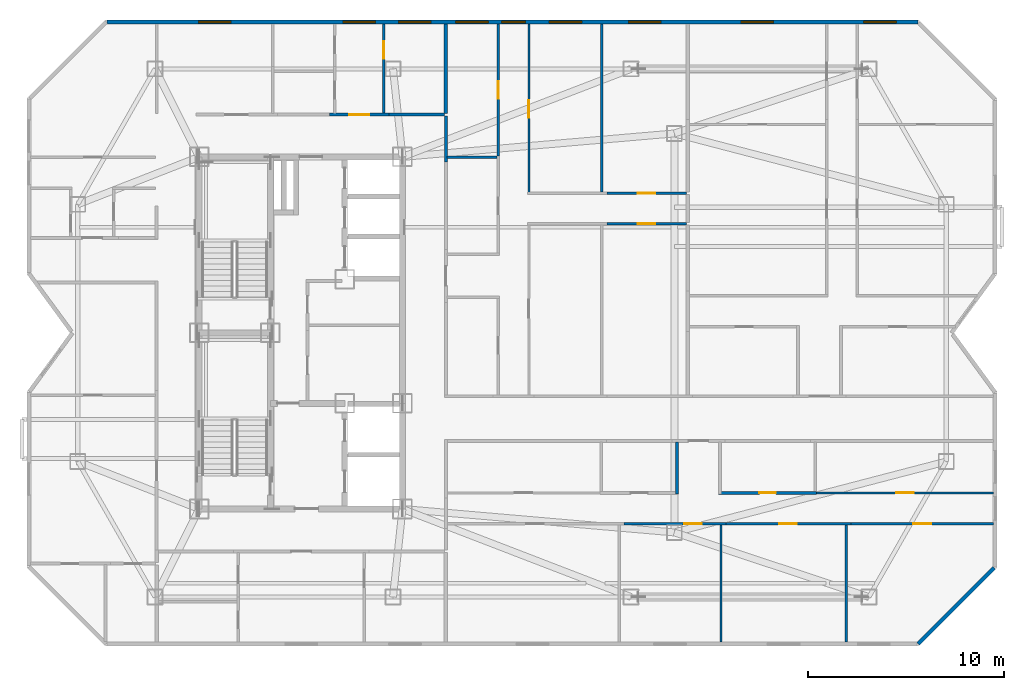
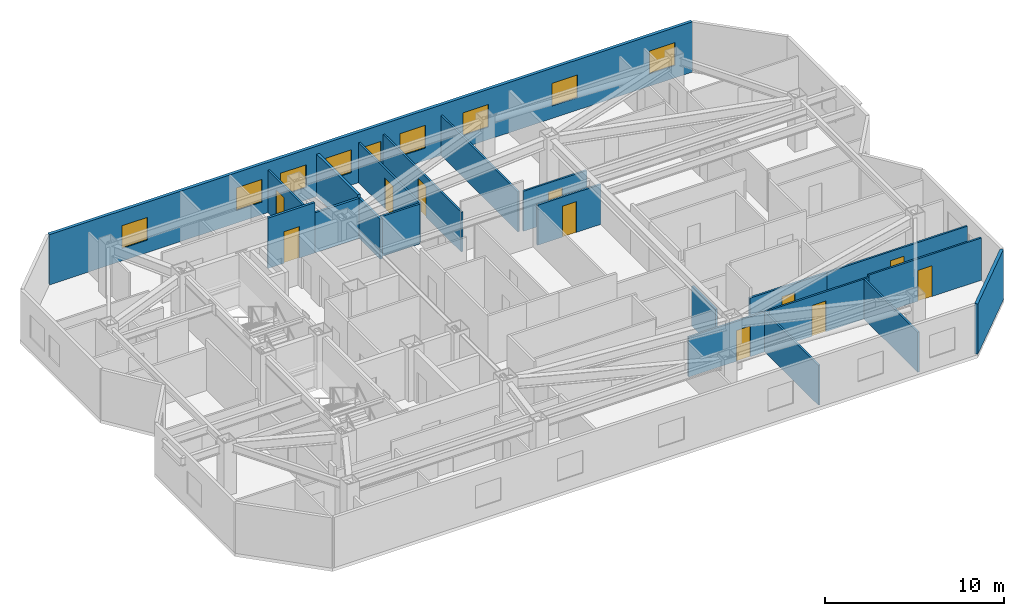
# One storey, part 7 of 10: 21 walls, 11 doors, 9 windows, 20 openings.
"""IFC4 building model written with IfcOpenShell, lengths in metres."""

from ifc_helpers import new_model, si_unit, direction, frame, frame_2d, origin, place, context, subcontext, project, spatial, rectangle, extrude, material, layer, layer_set, type_object, element, fill, save


model = new_model("IFC4")

# Units and contexts
model_context = context("Model", 3, precision=1e-05, world=origin(), true_north=direction((0.0, 1.0)))
body_context = subcontext(model_context, "Body", "Model", "MODEL_VIEW")
ifc_project = project(units=[si_unit("LENGTHUNIT", "METRE"), si_unit("AREAUNIT", "SQUARE_METRE"), si_unit("VOLUMEUNIT", "CUBIC_METRE"), si_unit("PLANEANGLEUNIT", "RADIAN"), si_unit("MASSUNIT", "GRAM", prefix="KILO")], contexts=[model_context])

# Site, building, storey
site_placement = place(None, origin())
site = spatial("IfcSite", under=ifc_project, at=site_placement, CompositionType="ELEMENT")
building_placement = place(site_placement, origin())
building = spatial("IfcBuilding", under=site, at=building_placement, Name="Khamvora Tower", CompositionType="ELEMENT")
storey_placement = place(building_placement, frame((0.0, 0.0, 246.39990234375)))
storey = spatial("IfcBuildingStorey", under=building, at=storey_placement, Name="L63", CompositionType="ELEMENT", Elevation=246.39990234375)

# Wall, opening, door
ifc_material_1 = material(Name="Fire-Rated Drywall and Steel Stud", Category="steel")
ifc_layer_1 = layer(ifc_material_1, 0.14990234375)
ifc_layer_set_1 = layer_set([ifc_layer_1], Name="Fire-Rated Drywall and Steel Stud")
wall_type_1 = type_object("IfcWallType", Name="WAL-CORR-150", PredefinedType="STANDARD", material=ifc_layer_set_1)
wall_1_placement = place(storey_placement, frame((35.680908203125, 39.1650390625, 0.0), z_axis=(0.0, 0.0, 1.0), x_axis=(1.0, 0.0, 0.0)))
wall_1 = element("IfcWall", 1, at=wall_1_placement, inside=storey, type_object=wall_type_1, Name="L63 interior partition wall 015", PredefinedType="STANDARD", context=body_context, shape_type="SweptSolid", body=[
    extrude(rectangle(XDim=3.01806640625, YDim=0.14990234375, at=frame_2d((1.509033203125, 0.0))), origin(), (0.0, 0.0, 1.0), 3.43017578125),
])
opening_1_placement = place(wall_1_placement, frame((1.009033203125, 0.0, 0.0)))
opening_1 = element("IfcOpeningElement", 2, at=opening_1_placement, cuts=wall_1, Name="Opening D-U1", PredefinedType="OPENING", context=body_context, shape_type="SweptSolid", body=[
    extrude(rectangle(XDim=1.0, YDim=2.14990234375, at=frame_2d((0.5, 1.074951171875))), frame((0.0, 0.0849609375, 0.0), z_axis=(0.0, -1.0, 0.0), x_axis=(1.0, 0.0, 0.0)), (0.0, 0.0, 1.0), 0.169921875),
])
ifc_material_2 = material(Name="Powder-Coated Steel and Hardwood Leaf", Category="steel")
door_type_1 = type_object("IfcDoorType", Name="DOR-UNIT-1000", OperationType="NOTDEFINED", PredefinedType="DOOR", material=ifc_material_2)
door_1_placement = place(opening_1_placement, origin())
door_1 = element("IfcDoor", 3, at=door_1_placement, inside=storey, type_object=door_type_1, Name="L63 interior door COR-63NAH", OperationType="SINGLE_SWING_RIGHT", OverallHeight=2.14990234375, OverallWidth=1.0, PredefinedType="DOOR", context=body_context, shape_type="SweptSolid", body=[
    extrude(rectangle(XDim=1.0, YDim=2.14990234375, at=frame_2d((0.5, 1.074951171875))), frame((0.0, 0.02490234375, 0.0), z_axis=(0.0, -1.0, 0.0), x_axis=(1.0, 0.0, 0.0)), (0.0, 0.0, 1.0), 0.050048828125),
])
fill(opening_1, door_1)

# Walls
wall_2_placement = place(storey_placement, frame((38.698974609375, 39.1650390625, 0.0), z_axis=(0.0, 0.0, 1.0), x_axis=(1.0, 0.0, 0.0)))
element("IfcWall", 4, at=wall_2_placement, inside=storey, type_object=wall_type_1, Name="L63 interior partition wall 017", PredefinedType="STANDARD", context=body_context, shape_type="SweptSolid", body=[
    extrude(rectangle(XDim=2.85107421875, YDim=0.14990234375, at=frame_2d((1.425537109375, 0.0))), origin(), (0.0, 0.0, 1.0), 2.72509765625),
])
wall_3_placement = place(storey_placement, frame((41.614990234375, 39.10009765625, 0.0), z_axis=(0.0, 0.0, 1.0), x_axis=(0.0, -1.0, 0.0)))
element("IfcWall", 5, at=wall_3_placement, inside=storey, type_object=wall_type_1, Name="L63 interior partition wall 026", PredefinedType="STANDARD", context=body_context, shape_type="SweptSolid", body=[
    extrude(rectangle(XDim=2.3681640625, YDim=0.14990234375, at=frame_2d((1.18408203125, 0.0))), origin(), (0.0, 0.0, 1.0), 2.72509765625),
])
ifc_material_3 = material(Name="Acoustic Double-Stud Fire Wall", Category="gypsum")
ifc_layer_2 = layer(ifc_material_3, 0.179931640625)
ifc_layer_set_2 = layer_set([ifc_layer_2], Name="Acoustic Double-Stud Fire Wall")
wall_type_2 = type_object("IfcWallType", Name="WAL-CORR-180", PredefinedType="STANDARD", material=ifc_layer_set_2)
wall_4_placement = place(storey_placement, frame((41.614990234375, 43.80810546875, 0.0), z_axis=(0.0, 0.0, 1.0), x_axis=(0.0, -1.0, 0.0)))
element("IfcWall", 6, at=wall_4_placement, inside=storey, type_object=wall_type_2, Name="L63 interior partition wall 061", PredefinedType="STANDARD", context=body_context, shape_type="SweptSolid", body=[
    extrude(rectangle(XDim=4.578125, YDim=0.179931640625, at=frame_2d((2.2890625, 0.0))), origin(), (0.0, 0.0, 1.0), 2.88720703125),
])

# Wall, openings, windows
ifc_material_4 = material(Name="Precast concrete C40/50", Category="concrete")
ifc_layer_3 = layer(ifc_material_4, 0.199951171875)
ifc_layer_set_3 = layer_set([ifc_layer_3], Name="Precast concrete C40/50")
wall_type_3 = type_object("IfcWallType", Name="WAL-EXT-200", PredefinedType="STANDARD", material=ifc_layer_set_3)
wall_5_placement = place(storey_placement, frame((24.302001953125, 43.89990234375, 0.0), z_axis=(0.0, 0.0, 1.0), x_axis=(1.0, 0.0, 0.0)))
wall_5 = element("IfcWall", 7, at=wall_5_placement, inside=storey, type_object=wall_type_3, Name="L63 exterior facade wall 07.1", PredefinedType="STANDARD", context=body_context, shape_type="SweptSolid", body=[
    extrude(rectangle(XDim=41.45703125, YDim=0.199951171875, at=frame_2d((20.728515625, 0.0))), origin(), (0.0, 0.0, 1.0), 3.43017578125),
])
opening_2_placement = place(wall_5_placement, frame((4.673095703125, 0.0, 0.85009765625)))
opening_2 = element("IfcOpeningElement", 8, at=opening_2_placement, cuts=wall_5, Name="Opening WN-06", PredefinedType="OPENING", context=body_context, shape_type="SweptSolid", body=[
    extrude(rectangle(XDim=1.64990234375, YDim=1.550048828125, at=frame_2d((0.824951171875, 0.77490234375))), frame((0.0, 0.10986328125, 0.0), z_axis=(0.0, -1.0, 0.0), x_axis=(1.0, 0.0, 0.0)), (0.0, 0.0, 1.0), 0.219970703125),
])
opening_3_placement = place(wall_5_placement, frame((12.06298828125, 0.0, 0.85009765625)))
opening_3 = element("IfcOpeningElement", 9, at=opening_3_placement, cuts=wall_5, Name="Opening WN-06", PredefinedType="OPENING", context=body_context, shape_type="SweptSolid", body=[
    extrude(rectangle(XDim=1.64990234375, YDim=1.550048828125, at=frame_2d((0.824951171875, 0.77490234375))), frame((0.0, 0.10986328125, 0.0), z_axis=(0.0, -1.0, 0.0), x_axis=(1.0, 0.0, 0.0)), (0.0, 0.0, 1.0), 0.219970703125),
])
opening_4_placement = place(wall_5_placement, frame((14.905029296875, 0.0, 0.85009765625)))
opening_4 = element("IfcOpeningElement", 10, at=opening_4_placement, cuts=wall_5, Name="Opening WN-06", PredefinedType="OPENING", context=body_context, shape_type="SweptSolid", body=[
    extrude(rectangle(XDim=1.64990234375, YDim=1.550048828125, at=frame_2d((0.824951171875, 0.77490234375))), frame((0.0, 0.10986328125, 0.0), z_axis=(0.0, -1.0, 0.0), x_axis=(1.0, 0.0, 0.0)), (0.0, 0.0, 1.0), 0.219970703125),
])
opening_5_placement = place(wall_5_placement, frame((17.824951171875, 0.0, 0.85009765625)))
opening_5 = element("IfcOpeningElement", 11, at=opening_5_placement, cuts=wall_5, Name="Opening WN-06", PredefinedType="OPENING", context=body_context, shape_type="SweptSolid", body=[
    extrude(rectangle(XDim=1.64990234375, YDim=1.550048828125, at=frame_2d((0.824951171875, 0.77490234375))), frame((0.0, 0.10986328125, 0.0), z_axis=(0.0, -1.0, 0.0), x_axis=(1.0, 0.0, 0.0)), (0.0, 0.0, 1.0), 0.219970703125),
])
opening_6_placement = place(wall_5_placement, frame((20.176025390625, 0.0, 0.800048828125)))
opening_6 = element("IfcOpeningElement", 12, at=opening_6_placement, cuts=wall_5, Name="Opening WN-03", PredefinedType="OPENING", context=body_context, shape_type="SweptSolid", body=[
    extrude(rectangle(XDim=1.199951171875, YDim=1.5, at=frame_2d((0.60009765625, 0.75))), frame((0.0, 0.10986328125, 0.0), z_axis=(0.0, -1.0, 0.0), x_axis=(1.0, 0.0, 0.0)), (0.0, 0.0, 1.0), 0.219970703125),
])
opening_7_placement = place(wall_5_placement, frame((22.60498046875, 0.0, 0.85009765625)))
opening_7 = element("IfcOpeningElement", 13, at=opening_7_placement, cuts=wall_5, Name="Opening WN-06", PredefinedType="OPENING", context=body_context, shape_type="SweptSolid", body=[
    extrude(rectangle(XDim=1.64990234375, YDim=1.550048828125, at=frame_2d((0.824951171875, 0.77490234375))), frame((0.0, 0.10986328125, 0.0), z_axis=(0.0, -1.0, 0.0), x_axis=(1.0, 0.0, 0.0)), (0.0, 0.0, 1.0), 0.219970703125),
])
opening_8_placement = place(wall_5_placement, frame((26.6640625, 0.0, 0.85009765625)))
opening_8 = element("IfcOpeningElement", 14, at=opening_8_placement, cuts=wall_5, Name="Opening WN-06", PredefinedType="OPENING", context=body_context, shape_type="SweptSolid", body=[
    extrude(rectangle(XDim=1.64990234375, YDim=1.550048828125, at=frame_2d((0.824951171875, 0.77490234375))), frame((0.0, 0.10986328125, 0.0), z_axis=(0.0, -1.0, 0.0), x_axis=(1.0, 0.0, 0.0)), (0.0, 0.0, 1.0), 0.219970703125),
])
opening_9_placement = place(wall_5_placement, frame((32.407958984375, 0.0, 0.85009765625)))
opening_9 = element("IfcOpeningElement", 15, at=opening_9_placement, cuts=wall_5, Name="Opening WN-06", PredefinedType="OPENING", context=body_context, shape_type="SweptSolid", body=[
    extrude(rectangle(XDim=1.64990234375, YDim=1.550048828125, at=frame_2d((0.824951171875, 0.77490234375))), frame((0.0, 0.10986328125, 0.0), z_axis=(0.0, -1.0, 0.0), x_axis=(1.0, 0.0, 0.0)), (0.0, 0.0, 1.0), 0.219970703125),
])
opening_10_placement = place(wall_5_placement, frame((38.68798828125, 0.0, 0.85009765625)))
opening_10 = element("IfcOpeningElement", 16, at=opening_10_placement, cuts=wall_5, Name="Opening WN-06", PredefinedType="OPENING", context=body_context, shape_type="SweptSolid", body=[
    extrude(rectangle(XDim=1.64990234375, YDim=1.550048828125, at=frame_2d((0.824951171875, 0.77490234375))), frame((0.0, 0.10986328125, 0.0), z_axis=(0.0, -1.0, 0.0), x_axis=(1.0, 0.0, 0.0)), (0.0, 0.0, 1.0), 0.219970703125),
])
ifc_material_5 = material(Name="Low-E Laminated Double Glazing", Category="glass")
window_type_1 = type_object("IfcWindowType", Name="WIN-VIS-1200x1500", PartitioningType="SINGLE_PANEL", PredefinedType="WINDOW", material=ifc_material_5)
window_1_placement = place(opening_6_placement, origin())
window_1 = element("IfcWindow", 17, at=window_1_placement, inside=storey, type_object=window_type_1, Name="L63 vision window 07.1.05", OverallHeight=1.5, OverallWidth=1.199951171875, PartitioningType="SINGLE_PANEL", PredefinedType="WINDOW", context=body_context, shape_type="SweptSolid", body=[
    extrude(rectangle(XDim=1.199951171875, YDim=1.5, at=frame_2d((0.60009765625, 0.75))), frame((0.0, 0.030029296875, 0.0), z_axis=(0.0, -1.0, 0.0), x_axis=(1.0, 0.0, 0.0)), (0.0, 0.0, 1.0), 0.06005859375),
])
fill(opening_6, window_1)
window_type_2 = type_object("IfcWindowType", Name="WIN-VIS-1650x1550", PartitioningType="SINGLE_PANEL", PredefinedType="WINDOW", material=ifc_material_5)
window_2_placement = place(opening_2_placement, origin())
window_2 = element("IfcWindow", 18, at=window_2_placement, inside=storey, type_object=window_type_2, Name="L63 vision window 07.1.01", OverallHeight=1.550048828125, OverallWidth=1.64990234375, PartitioningType="SINGLE_PANEL", PredefinedType="WINDOW", context=body_context, shape_type="SweptSolid", body=[
    extrude(rectangle(XDim=1.64990234375, YDim=1.550048828125, at=frame_2d((0.824951171875, 0.77490234375))), frame((0.0, 0.030029296875, 0.0), z_axis=(0.0, -1.0, 0.0), x_axis=(1.0, 0.0, 0.0)), (0.0, 0.0, 1.0), 0.06005859375),
])
fill(opening_2, window_2)
window_3_placement = place(opening_3_placement, origin())
window_3 = element("IfcWindow", 19, at=window_3_placement, inside=storey, type_object=window_type_2, Name="L63 vision window 07.1.02", OverallHeight=1.550048828125, OverallWidth=1.64990234375, PartitioningType="SINGLE_PANEL", PredefinedType="WINDOW", context=body_context, shape_type="SweptSolid", body=[
    extrude(rectangle(XDim=1.64990234375, YDim=1.550048828125, at=frame_2d((0.824951171875, 0.77490234375))), frame((0.0, 0.030029296875, 0.0), z_axis=(0.0, -1.0, 0.0), x_axis=(1.0, 0.0, 0.0)), (0.0, 0.0, 1.0), 0.06005859375),
])
fill(opening_3, window_3)
window_4_placement = place(opening_4_placement, origin())
window_4 = element("IfcWindow", 20, at=window_4_placement, inside=storey, type_object=window_type_2, Name="L63 vision window 07.1.03", OverallHeight=1.550048828125, OverallWidth=1.64990234375, PartitioningType="SINGLE_PANEL", PredefinedType="WINDOW", context=body_context, shape_type="SweptSolid", body=[
    extrude(rectangle(XDim=1.64990234375, YDim=1.550048828125, at=frame_2d((0.824951171875, 0.77490234375))), frame((0.0, 0.030029296875, 0.0), z_axis=(0.0, -1.0, 0.0), x_axis=(1.0, 0.0, 0.0)), (0.0, 0.0, 1.0), 0.06005859375),
])
fill(opening_4, window_4)
window_5_placement = place(opening_5_placement, origin())
window_5 = element("IfcWindow", 21, at=window_5_placement, inside=storey, type_object=window_type_2, Name="L63 vision window 07.1.04", OverallHeight=1.550048828125, OverallWidth=1.64990234375, PartitioningType="SINGLE_PANEL", PredefinedType="WINDOW", context=body_context, shape_type="SweptSolid", body=[
    extrude(rectangle(XDim=1.64990234375, YDim=1.550048828125, at=frame_2d((0.824951171875, 0.77490234375))), frame((0.0, 0.030029296875, 0.0), z_axis=(0.0, -1.0, 0.0), x_axis=(1.0, 0.0, 0.0)), (0.0, 0.0, 1.0), 0.06005859375),
])
fill(opening_5, window_5)
window_6_placement = place(opening_7_placement, origin())
window_6 = element("IfcWindow", 22, at=window_6_placement, inside=storey, type_object=window_type_2, Name="L63 vision window 07.1.06", OverallHeight=1.550048828125, OverallWidth=1.64990234375, PartitioningType="SINGLE_PANEL", PredefinedType="WINDOW", context=body_context, shape_type="SweptSolid", body=[
    extrude(rectangle(XDim=1.64990234375, YDim=1.550048828125, at=frame_2d((0.824951171875, 0.77490234375))), frame((0.0, 0.030029296875, 0.0), z_axis=(0.0, -1.0, 0.0), x_axis=(1.0, 0.0, 0.0)), (0.0, 0.0, 1.0), 0.06005859375),
])
fill(opening_7, window_6)
window_7_placement = place(opening_8_placement, origin())
window_7 = element("IfcWindow", 23, at=window_7_placement, inside=storey, type_object=window_type_2, Name="L63 vision window 07.1.07", OverallHeight=1.550048828125, OverallWidth=1.64990234375, PartitioningType="SINGLE_PANEL", PredefinedType="WINDOW", context=body_context, shape_type="SweptSolid", body=[
    extrude(rectangle(XDim=1.64990234375, YDim=1.550048828125, at=frame_2d((0.824951171875, 0.77490234375))), frame((0.0, 0.030029296875, 0.0), z_axis=(0.0, -1.0, 0.0), x_axis=(1.0, 0.0, 0.0)), (0.0, 0.0, 1.0), 0.06005859375),
])
fill(opening_8, window_7)
window_8_placement = place(opening_9_placement, origin())
window_8 = element("IfcWindow", 24, at=window_8_placement, inside=storey, type_object=window_type_2, Name="L63 vision window 07.1.08", OverallHeight=1.550048828125, OverallWidth=1.64990234375, PartitioningType="SINGLE_PANEL", PredefinedType="WINDOW", context=body_context, shape_type="SweptSolid", body=[
    extrude(rectangle(XDim=1.64990234375, YDim=1.550048828125, at=frame_2d((0.824951171875, 0.77490234375))), frame((0.0, 0.030029296875, 0.0), z_axis=(0.0, -1.0, 0.0), x_axis=(1.0, 0.0, 0.0)), (0.0, 0.0, 1.0), 0.06005859375),
])
fill(opening_9, window_8)
window_9_placement = place(opening_10_placement, origin())
window_9 = element("IfcWindow", 25, at=window_9_placement, inside=storey, type_object=window_type_2, Name="L63 vision window 07.1.09", OverallHeight=1.550048828125, OverallWidth=1.64990234375, PartitioningType="SINGLE_PANEL", PredefinedType="WINDOW", context=body_context, shape_type="SweptSolid", body=[
    extrude(rectangle(XDim=1.64990234375, YDim=1.550048828125, at=frame_2d((0.824951171875, 0.77490234375))), frame((0.0, 0.030029296875, 0.0), z_axis=(0.0, -1.0, 0.0), x_axis=(1.0, 0.0, 0.0)), (0.0, 0.0, 1.0), 0.06005859375),
])
fill(opening_10, window_9)

# Wall
wall_6_placement = place(storey_placement, frame((69.655029296875, 15.99609375, 0.0), z_axis=(0.0, 0.0, 1.0), x_axis=(-0.707106781187, -0.707106781187, 0.0)))
element("IfcWall", 26, at=wall_6_placement, inside=storey, type_object=wall_type_3, Name="L63 exterior facade wall 13.1", PredefinedType="STANDARD", context=body_context, shape_type="SweptSolid", body=[
    extrude(rectangle(XDim=5.509765625, YDim=0.199951171875, at=frame_2d((2.7548828125, 0.0))), origin(), (0.0, 0.0, 1.0), 3.43017578125),
])

# Wall, opening, door
ifc_material_6 = material(Name="Gypsum Plasterboard Partition", Category="gypsum")
ifc_layer_4 = layer(ifc_material_6, 0.1201171875)
ifc_layer_set_4 = layer_set([ifc_layer_4], Name="Gypsum Plasterboard Partition")
wall_type_4 = type_object("IfcWallType", Name="WAL-PART-120", PredefinedType="PARTITIONING", material=ifc_layer_set_4)
wall_7_placement = place(storey_placement, frame((38.449951171875, 43.80810546875, 0.0), z_axis=(0.0, 0.0, 1.0), x_axis=(0.0, -1.0, 0.0)))
wall_7 = element("IfcWall", 27, at=wall_7_placement, inside=storey, type_object=wall_type_4, Name="L63 interior partition wall 059", PredefinedType="PARTITIONING", context=body_context, shape_type="SweptSolid", body=[
    extrude(rectangle(XDim=4.576171875, YDim=0.1201171875, at=frame_2d((2.2880859375, 0.0))), origin(), (0.0, 0.0, 1.0), 2.88720703125),
])
opening_11_placement = place(wall_7_placement, frame((0.884033203125, 0.0, 0.0)))
opening_11 = element("IfcOpeningElement", 28, at=opening_11_placement, cuts=wall_7, Name="Opening D-RM1", PredefinedType="OPENING", context=body_context, shape_type="SweptSolid", body=[
    extrude(rectangle(XDim=0.89990234375, YDim=2.10009765625, at=frame_2d((0.449951171875, 1.050048828125))), frame((0.0, 0.070068359375, 0.0), z_axis=(0.0, -1.0, 0.0), x_axis=(1.0, 0.0, 0.0)), (0.0, 0.0, 1.0), 0.14013671875),
])
door_type_2 = type_object("IfcDoorType", Name="DOR-ROOM-900", OperationType="NOTDEFINED", PredefinedType="DOOR", material=ifc_material_2)
door_2_placement = place(opening_11_placement, origin())
door_2 = element("IfcDoor", 29, at=door_2_placement, inside=storey, type_object=door_type_2, Name="L63 interior door 63NAH-63NAR1", OperationType="SINGLE_SWING_LEFT", OverallHeight=2.10009765625, OverallWidth=0.89990234375, PredefinedType="DOOR", context=body_context, shape_type="SweptSolid", body=[
    extrude(rectangle(XDim=0.89990234375, YDim=2.10009765625, at=frame_2d((0.449951171875, 1.050048828125))), frame((0.0, 0.02490234375, 0.0), z_axis=(0.0, -1.0, 0.0), x_axis=(1.0, 0.0, 0.0)), (0.0, 0.0, 1.0), 0.050048828125),
])
fill(opening_11, door_2)

wall_8_placement = place(storey_placement, frame((69.60791015625, 19.819091796875, 0.0), z_axis=(0.0, 0.0, 1.0), x_axis=(-1.0, 0.0, 0.0)))
wall_8 = element("IfcWall", 30, at=wall_8_placement, inside=storey, type_object=wall_type_4, Name="L63 interior partition wall 064", PredefinedType="PARTITIONING", context=body_context, shape_type="SweptSolid", body=[
    extrude(rectangle(XDim=9.04296875, YDim=0.1201171875, at=frame_2d((4.521484375, 0.0))), origin(), (0.0, 0.0, 1.0), 2.72509765625),
])
opening_12_placement = place(wall_8_placement, frame((4.071044921875, 0.0, 0.0)))
opening_12 = element("IfcOpeningElement", 31, at=opening_12_placement, cuts=wall_8, Name="Opening D-RM1", PredefinedType="OPENING", context=body_context, shape_type="SweptSolid", body=[
    extrude(rectangle(XDim=0.89990234375, YDim=2.10009765625, at=frame_2d((0.449951171875, 1.050048828125))), frame((0.0, 0.070068359375, 0.0), z_axis=(0.0, -1.0, 0.0), x_axis=(1.0, 0.0, 0.0)), (0.0, 0.0, 1.0), 0.14013671875),
])
door_3_placement = place(opening_12_placement, origin())
door_3 = element("IfcDoor", 32, at=door_3_placement, inside=storey, type_object=door_type_2, Name="L63 interior door 63EAW2-63EAH", OperationType="SINGLE_SWING_RIGHT", OverallHeight=2.10009765625, OverallWidth=0.89990234375, PredefinedType="DOOR", context=body_context, shape_type="SweptSolid", body=[
    extrude(rectangle(XDim=0.89990234375, YDim=2.10009765625, at=frame_2d((0.449951171875, 1.050048828125))), frame((0.0, 0.02490234375, 0.0), z_axis=(0.0, -1.0, 0.0), x_axis=(1.0, 0.0, 0.0)), (0.0, 0.0, 1.0), 0.050048828125),
])
fill(opening_12, door_3)

wall_9_placement = place(storey_placement, frame((55.93408203125, 18.239013671875, 0.0), z_axis=(0.0, 0.0, 1.0), x_axis=(-1.0, 0.0, 0.0)))
wall_9 = element("IfcWall", 33, at=wall_9_placement, inside=storey, type_object=wall_type_4, Name="L63 interior partition wall 071", PredefinedType="PARTITIONING", context=body_context, shape_type="SweptSolid", body=[
    extrude(rectangle(XDim=5.2060546875, YDim=0.1201171875, at=frame_2d((2.60302734375, 0.0))), origin(), (0.0, 0.0, 1.0), 2.72509765625),
])
opening_13_placement = place(wall_9_placement, frame((1.220947265625, 0.0, 0.0)))
opening_13 = element("IfcOpeningElement", 34, at=opening_13_placement, cuts=wall_9, Name="Opening D-RM1", PredefinedType="OPENING", context=body_context, shape_type="SweptSolid", body=[
    extrude(rectangle(XDim=0.89990234375, YDim=2.10009765625, at=frame_2d((0.449951171875, 1.050048828125))), frame((0.0, 0.070068359375, 0.0), z_axis=(0.0, -1.0, 0.0), x_axis=(1.0, 0.0, 0.0)), (0.0, 0.0, 1.0), 0.14013671875),
])
door_4_placement = place(opening_13_placement, origin())
door_4 = element("IfcDoor", 35, at=door_4_placement, inside=storey, type_object=door_type_2, Name="L63 interior door 63EAH-63EAR2", OperationType="SINGLE_SWING_LEFT", OverallHeight=2.10009765625, OverallWidth=0.89990234375, PredefinedType="DOOR", context=body_context, shape_type="SweptSolid", body=[
    extrude(rectangle(XDim=0.89990234375, YDim=2.10009765625, at=frame_2d((0.449951171875, 1.050048828125))), frame((0.0, 0.02490234375, 0.0), z_axis=(0.0, -1.0, 0.0), x_axis=(1.0, 0.0, 0.0)), (0.0, 0.0, 1.0), 0.050048828125),
])
fill(opening_13, door_4)

wall_10_placement = place(storey_placement, frame((62.337890625, 18.239013671875, 0.0), z_axis=(0.0, 0.0, 1.0), x_axis=(-1.0, 0.0, 0.0)))
wall_10 = element("IfcWall", 36, at=wall_10_placement, inside=storey, type_object=wall_type_4, Name="L63 interior partition wall 072", PredefinedType="PARTITIONING", context=body_context, shape_type="SweptSolid", body=[
    extrude(rectangle(XDim=6.40380859375, YDim=0.1201171875, at=frame_2d((3.201904296875, 0.0))), origin(), (0.0, 0.0, 1.0), 2.72509765625),
])
opening_14_placement = place(wall_10_placement, frame((2.77294921875, 0.0, 0.0)))
opening_14 = element("IfcOpeningElement", 37, at=opening_14_placement, cuts=wall_10, Name="Opening D-RM1", PredefinedType="OPENING", context=body_context, shape_type="SweptSolid", body=[
    extrude(rectangle(XDim=0.89990234375, YDim=2.10009765625, at=frame_2d((0.449951171875, 1.050048828125))), frame((0.0, 0.070068359375, 0.0), z_axis=(0.0, -1.0, 0.0), x_axis=(1.0, 0.0, 0.0)), (0.0, 0.0, 1.0), 0.14013671875),
])
door_5_placement = place(opening_14_placement, origin())
door_5 = element("IfcDoor", 38, at=door_5_placement, inside=storey, type_object=door_type_2, Name="L63 interior door 63EAH-63EAR3", OperationType="SINGLE_SWING_RIGHT", OverallHeight=2.10009765625, OverallWidth=0.89990234375, PredefinedType="DOOR", context=body_context, shape_type="SweptSolid", body=[
    extrude(rectangle(XDim=0.89990234375, YDim=2.10009765625, at=frame_2d((0.449951171875, 1.050048828125))), frame((0.0, 0.02490234375, 0.0), z_axis=(0.0, -1.0, 0.0), x_axis=(1.0, 0.0, 0.0)), (0.0, 0.0, 1.0), 0.050048828125),
])
fill(opening_14, door_5)

wall_11_placement = place(storey_placement, frame((69.60791015625, 18.239013671875, 0.0), z_axis=(0.0, 0.0, 1.0), x_axis=(-1.0, 0.0, 0.0)))
wall_11 = element("IfcWall", 39, at=wall_11_placement, inside=storey, type_object=wall_type_4, Name="L63 interior partition wall 073", PredefinedType="PARTITIONING", context=body_context, shape_type="SweptSolid", body=[
    extrude(rectangle(XDim=7.27001953125, YDim=0.1201171875, at=frame_2d((3.635009765625, 0.0))), origin(), (0.0, 0.0, 1.0), 2.88720703125),
])
opening_15_placement = place(wall_11_placement, frame((3.18505859375, 0.0, 0.0)))
opening_15 = element("IfcOpeningElement", 40, at=opening_15_placement, cuts=wall_11, Name="Opening D-RM1", PredefinedType="OPENING", context=body_context, shape_type="SweptSolid", body=[
    extrude(rectangle(XDim=0.89990234375, YDim=2.10009765625, at=frame_2d((0.449951171875, 1.050048828125))), frame((0.0, 0.070068359375, 0.0), z_axis=(0.0, -1.0, 0.0), x_axis=(1.0, 0.0, 0.0)), (0.0, 0.0, 1.0), 0.14013671875),
])
door_6_placement = place(opening_15_placement, origin())
door_6 = element("IfcDoor", 41, at=door_6_placement, inside=storey, type_object=door_type_2, Name="L63 interior door 63EAH-63EAR4", OperationType="SINGLE_SWING_LEFT", OverallHeight=2.10009765625, OverallWidth=0.89990234375, PredefinedType="DOOR", context=body_context, shape_type="SweptSolid", body=[
    extrude(rectangle(XDim=0.89990234375, YDim=2.10009765625, at=frame_2d((0.449951171875, 1.050048828125))), frame((0.0, 0.02490234375, 0.0), z_axis=(0.0, -1.0, 0.0), x_axis=(1.0, 0.0, 0.0)), (0.0, 0.0, 1.0), 0.050048828125),
])
fill(opening_15, door_6)

# Walls
for number, where, z_axis, x_axis, name in (
    (42, (55.68505859375, 18.18505859375, 0.0), (0.0, 0.0, 1.0), (0.0, -1.0, 0.0), "L63 interior partition wall 075"),
    (43, (62.089111328125, 18.18505859375, 0.0), (0.0, 0.0, 1.0), (0.0, -1.0, 0.0), "L63 interior partition wall 076"),
):
    element("IfcWall", number, at=place(storey_placement, frame(where, z_axis=z_axis, x_axis=x_axis)), inside=storey, type_object=wall_type_4, Name=name, PredefinedType="PARTITIONING", context=body_context, shape_type="SweptSolid", body=[
        extrude(rectangle(XDim=5.9931640625, YDim=0.1201171875, at=frame_2d((2.99658203125, 0.0))), origin(), (0.0, 0.0, 1.0), 2.72509765625),
    ])

# Wall, opening, door
wall_12_placement = place(storey_placement, frame((44.2880859375, 43.80810546875, 0.0), z_axis=(0.0, 0.0, 1.0), x_axis=(0.0, -1.0, 0.0)))
wall_12 = element("IfcWall", 44, at=wall_12_placement, inside=storey, type_object=wall_type_4, Name="L63 interior partition wall 077", PredefinedType="PARTITIONING", context=body_context, shape_type="SweptSolid", body=[
    extrude(rectangle(XDim=6.76220703125, YDim=0.1201171875, at=frame_2d((3.381103515625, 0.0))), origin(), (0.0, 0.0, 1.0), 2.72509765625),
])
opening_16_placement = place(wall_12_placement, frame((2.930908203125, 0.0, 0.0)))
opening_16 = element("IfcOpeningElement", 45, at=opening_16_placement, cuts=wall_12, Name="Opening D-RM1", PredefinedType="OPENING", context=body_context, shape_type="SweptSolid", body=[
    extrude(rectangle(XDim=0.89990234375, YDim=2.10009765625, at=frame_2d((0.449951171875, 1.050048828125))), frame((0.0, 0.070068359375, 0.0), z_axis=(0.0, -1.0, 0.0), x_axis=(1.0, 0.0, 0.0)), (0.0, 0.0, 1.0), 0.14013671875),
])
door_7_placement = place(opening_16_placement, origin())
door_7 = element("IfcDoor", 46, at=door_7_placement, inside=storey, type_object=door_type_2, Name="L63 interior door 63EBW2-63EBH", OperationType="SINGLE_SWING_RIGHT", OverallHeight=2.10009765625, OverallWidth=0.89990234375, PredefinedType="DOOR", context=body_context, shape_type="SweptSolid", body=[
    extrude(rectangle(XDim=0.89990234375, YDim=2.10009765625, at=frame_2d((0.449951171875, 1.050048828125))), frame((0.0, 0.02490234375, 0.0), z_axis=(0.0, -1.0, 0.0), x_axis=(1.0, 0.0, 0.0)), (0.0, 0.0, 1.0), 0.050048828125),
])
fill(opening_16, door_7)

wall_13_placement = place(storey_placement, frame((53.919921875, 33.574951171875, 0.0), z_axis=(0.0, 0.0, 1.0), x_axis=(-1.0, 0.0, 0.0)))
wall_13 = element("IfcWall", 47, at=wall_13_placement, inside=storey, type_object=wall_type_4, Name="L63 interior partition wall 085", PredefinedType="PARTITIONING", context=body_context, shape_type="SweptSolid", body=[
    extrude(rectangle(XDim=4.074951171875, YDim=0.1201171875, at=frame_2d((2.03759765625, 0.0))), origin(), (0.0, 0.0, 1.0), 2.72509765625),
])
opening_17_placement = place(wall_13_placement, frame((1.587890625, 0.0, 0.0)))
opening_17 = element("IfcOpeningElement", 48, at=opening_17_placement, cuts=wall_13, Name="Opening D-RM1", PredefinedType="OPENING", context=body_context, shape_type="SweptSolid", body=[
    extrude(rectangle(XDim=0.89990234375, YDim=2.10009765625, at=frame_2d((0.449951171875, 1.050048828125))), frame((0.0, 0.070068359375, 0.0), z_axis=(0.0, -1.0, 0.0), x_axis=(1.0, 0.0, 0.0)), (0.0, 0.0, 1.0), 0.14013671875),
])
door_8_placement = place(opening_17_placement, origin())
door_8 = element("IfcDoor", 49, at=door_8_placement, inside=storey, type_object=door_type_2, Name="L63 interior door 63EBH-63EBR2", OperationType="SINGLE_SWING_RIGHT", OverallHeight=2.10009765625, OverallWidth=0.89990234375, PredefinedType="DOOR", context=body_context, shape_type="SweptSolid", body=[
    extrude(rectangle(XDim=0.89990234375, YDim=2.10009765625, at=frame_2d((0.449951171875, 1.050048828125))), frame((0.0, 0.02490234375, 0.0), z_axis=(0.0, -1.0, 0.0), x_axis=(1.0, 0.0, 0.0)), (0.0, 0.0, 1.0), 0.050048828125),
])
fill(opening_17, door_8)

wall_14_placement = place(storey_placement, frame((45.867919921875, 43.80810546875, 0.0), z_axis=(0.0, 0.0, 1.0), x_axis=(0.0, -1.0, 0.0)))
wall_14 = element("IfcWall", 50, at=wall_14_placement, inside=storey, type_object=wall_type_4, Name="L63 interior partition wall 086", PredefinedType="PARTITIONING", context=body_context, shape_type="SweptSolid", body=[
    extrude(rectangle(XDim=8.72802734375, YDim=0.1201171875, at=frame_2d((4.364013671875, 0.0))), origin(), (0.0, 0.0, 1.0), 2.72509765625),
])
opening_18_placement = place(wall_14_placement, frame((3.9140625, 0.0, 0.0)))
opening_18 = element("IfcOpeningElement", 51, at=opening_18_placement, cuts=wall_14, Name="Opening D-RM1", PredefinedType="OPENING", context=body_context, shape_type="SweptSolid", body=[
    extrude(rectangle(XDim=0.89990234375, YDim=2.10009765625, at=frame_2d((0.449951171875, 1.050048828125))), frame((0.0, 0.070068359375, 0.0), z_axis=(0.0, -1.0, 0.0), x_axis=(1.0, 0.0, 0.0)), (0.0, 0.0, 1.0), 0.14013671875),
])
door_9_placement = place(opening_18_placement, origin())
door_9 = element("IfcDoor", 52, at=door_9_placement, inside=storey, type_object=door_type_2, Name="L63 interior door 63EBH-63EBR3", OperationType="SINGLE_SWING_LEFT", OverallHeight=2.10009765625, OverallWidth=0.89990234375, PredefinedType="DOOR", context=body_context, shape_type="SweptSolid", body=[
    extrude(rectangle(XDim=0.89990234375, YDim=2.10009765625, at=frame_2d((0.449951171875, 1.050048828125))), frame((0.0, 0.02490234375, 0.0), z_axis=(0.0, -1.0, 0.0), x_axis=(1.0, 0.0, 0.0)), (0.0, 0.0, 1.0), 0.050048828125),
])
fill(opening_18, door_9)

wall_15_placement = place(storey_placement, frame((49.844970703125, 35.14501953125, 0.0), z_axis=(0.0, 0.0, 1.0), x_axis=(1.0, 0.0, 0.0)))
wall_15 = element("IfcWall", 53, at=wall_15_placement, inside=storey, type_object=wall_type_4, Name="L63 interior partition wall 088", PredefinedType="PARTITIONING", context=body_context, shape_type="SweptSolid", body=[
    extrude(rectangle(XDim=4.074951171875, YDim=0.1201171875, at=frame_2d((2.03759765625, 0.0))), origin(), (0.0, 0.0, 1.0), 2.72509765625),
])
opening_19_placement = place(wall_15_placement, frame((1.587890625, 0.0, 0.0)))
opening_19 = element("IfcOpeningElement", 54, at=opening_19_placement, cuts=wall_15, Name="Opening D-RM1", PredefinedType="OPENING", context=body_context, shape_type="SweptSolid", body=[
    extrude(rectangle(XDim=0.89990234375, YDim=2.10009765625, at=frame_2d((0.449951171875, 1.050048828125))), frame((0.0, 0.070068359375, 0.0), z_axis=(0.0, -1.0, 0.0), x_axis=(1.0, 0.0, 0.0)), (0.0, 0.0, 1.0), 0.14013671875),
])
door_10_placement = place(opening_19_placement, origin())
door_10 = element("IfcDoor", 55, at=door_10_placement, inside=storey, type_object=door_type_2, Name="L63 interior door 63EBH-63EBR4", OperationType="SINGLE_SWING_RIGHT", OverallHeight=2.10009765625, OverallWidth=0.89990234375, PredefinedType="DOOR", context=body_context, shape_type="SweptSolid", body=[
    extrude(rectangle(XDim=0.89990234375, YDim=2.10009765625, at=frame_2d((0.449951171875, 1.050048828125))), frame((0.0, 0.02490234375, 0.0), z_axis=(0.0, -1.0, 0.0), x_axis=(1.0, 0.0, 0.0)), (0.0, 0.0, 1.0), 0.050048828125),
])
fill(opening_19, door_10)

# Walls
wall_16_placement = place(storey_placement, frame((49.595947265625, 43.80810546875, 0.0), z_axis=(0.0, 0.0, 1.0), x_axis=(0.0, -1.0, 0.0)))
element("IfcWall", 56, at=wall_16_placement, inside=storey, type_object=wall_type_4, Name="L63 interior partition wall 094", PredefinedType="PARTITIONING", context=body_context, shape_type="SweptSolid", body=[
    extrude(rectangle(XDim=8.609130859375, YDim=0.1201171875, at=frame_2d((4.3046875, 0.0))), origin(), (0.0, 0.0, 1.0), 2.72509765625),
])
ifc_material_7 = material(Name="Moisture-Resistant Plasterboard Partition", Category="gypsum")
ifc_layer_5 = layer(ifc_material_7, 0.135009765625)
ifc_layer_set_5 = layer_set([ifc_layer_5], Name="Moisture-Resistant Plasterboard Partition")
wall_type_5 = type_object("IfcWallType", Name="WAL-WET-135", PredefinedType="PARTITIONING", material=ifc_layer_set_5)
wall_17_placement = place(storey_placement, frame((53.43505859375, 19.75390625, 0.0), z_axis=(0.0, 0.0, 1.0), x_axis=(0.0, 1.0, 0.0)))
element("IfcWall", 57, at=wall_17_placement, inside=storey, type_object=wall_type_5, Name="L63 interior partition wall 067", PredefinedType="PARTITIONING", context=body_context, shape_type="SweptSolid", body=[
    extrude(rectangle(XDim=2.6640625, YDim=0.135009765625, at=frame_2d((1.33203125, 0.0))), origin(), (0.0, 0.0, 1.0), 2.72509765625),
])

# Wall, opening, door
wall_18_placement = place(storey_placement, frame((55.570068359375, 19.819091796875, 0.0), z_axis=(0.0, 0.0, 1.0), x_axis=(1.0, 0.0, 0.0)))
wall_18 = element("IfcWall", 58, at=wall_18_placement, inside=storey, type_object=wall_type_5, Name="L63 interior partition wall 069", PredefinedType="PARTITIONING", context=body_context, shape_type="SweptSolid", body=[
    extrude(rectangle(XDim=4.994873046875, YDim=0.135009765625, at=frame_2d((2.49755859375, 0.0))), origin(), (0.0, 0.0, 1.0), 2.72509765625),
])
opening_20_placement = place(wall_18_placement, frame((2.072998046875, 0.0, 0.0)))
opening_20 = element("IfcOpeningElement", 59, at=opening_20_placement, cuts=wall_18, Name="Opening D-RM2", PredefinedType="OPENING", context=body_context, shape_type="SweptSolid", body=[
    extrude(rectangle(XDim=0.85009765625, YDim=2.10009765625, at=frame_2d((0.425048828125, 1.050048828125))), frame((0.0, 0.077392578125, 0.0), z_axis=(0.0, -1.0, 0.0), x_axis=(1.0, 0.0, 0.0)), (0.0, 0.0, 1.0), 0.155029296875),
])
door_type_3 = type_object("IfcDoorType", Name="DOR-ROOM-850", OperationType="NOTDEFINED", PredefinedType="DOOR", material=ifc_material_2)
door_11_placement = place(opening_20_placement, origin())
door_11 = element("IfcDoor", 60, at=door_11_placement, inside=storey, type_object=door_type_3, Name="L63 interior door 63EAH-63EAK", OperationType="SINGLE_SWING_RIGHT", OverallHeight=2.10009765625, OverallWidth=0.85009765625, PredefinedType="DOOR", context=body_context, shape_type="SweptSolid", body=[
    extrude(rectangle(XDim=0.85009765625, YDim=2.10009765625, at=frame_2d((0.425048828125, 1.050048828125))), frame((0.0, 0.02490234375, 0.0), z_axis=(0.0, -1.0, 0.0), x_axis=(1.0, 0.0, 0.0)), (0.0, 0.0, 1.0), 0.050048828125),
])
fill(opening_20, door_11)

# Wall
wall_19_placement = place(storey_placement, frame((44.222900390625, 36.98095703125, 0.0), z_axis=(0.0, 0.0, 1.0), x_axis=(-1.0, 0.0, 0.0)))
element("IfcWall", 61, at=wall_19_placement, inside=storey, type_object=wall_type_5, Name="L63 interior partition wall 078", PredefinedType="PARTITIONING", context=body_context, shape_type="SweptSolid", body=[
    extrude(rectangle(XDim=2.541015625, YDim=0.135009765625, at=frame_2d((1.2705078125, 0.0))), origin(), (0.0, 0.0, 1.0), 2.72509765625),
])

save(model, "model.ifc")
